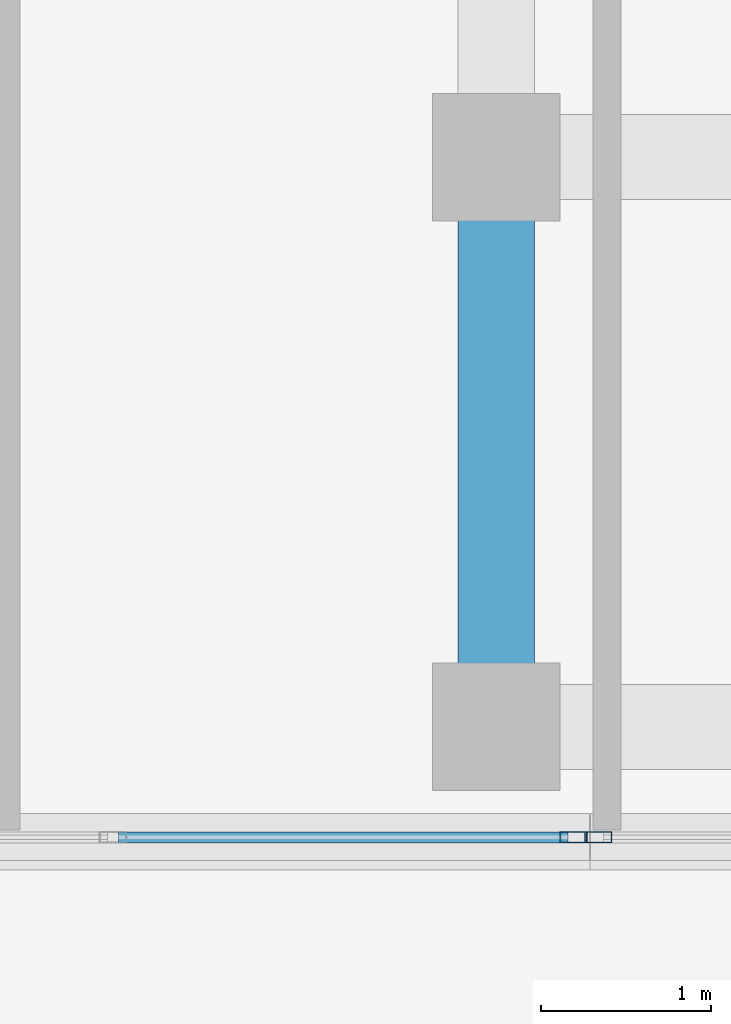
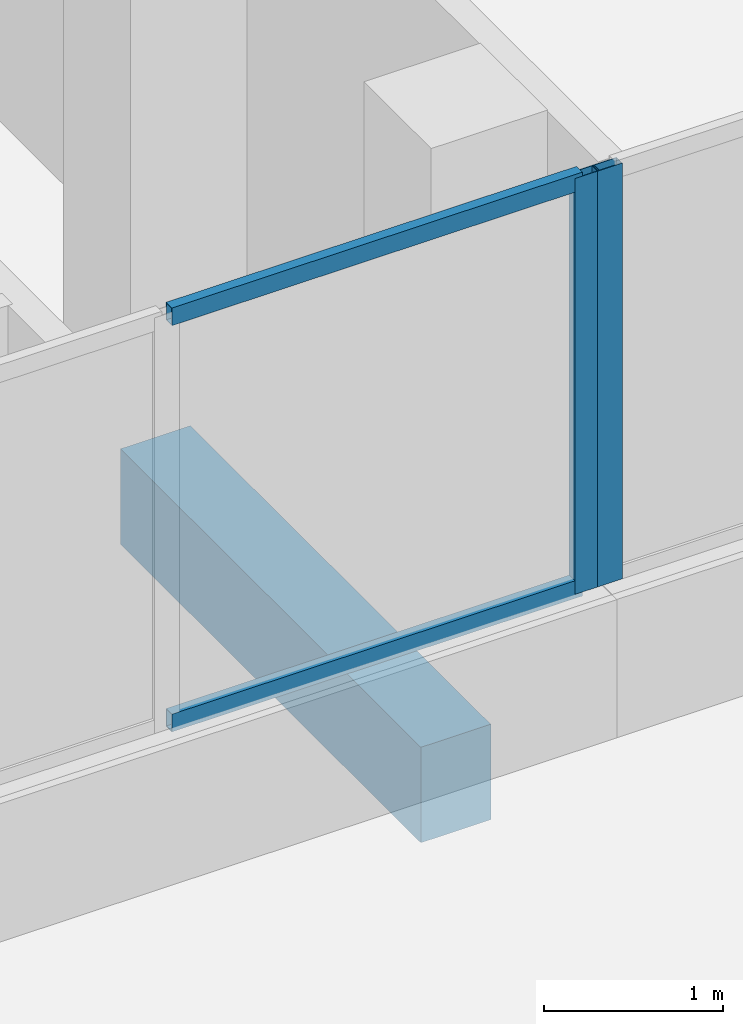
# One storey, part 56 of 101: 4 members, 1 beam, 2 elements without a shape of their own.
"""IFC4 building model written with IfcOpenShell, lengths in metres."""

from ifc_helpers import new_model, si_unit, direction, frame, origin, origin_2d, place, context, subcontext, project, spatial, rectangle, hollow_rectangle, extrude, material, material_profile, profile_set, type_object, element, aggregate, save


model = new_model("IFC4")

# Units and contexts
model_context = context("Model", 3, precision=1e-05, world=origin(), true_north=direction((0.0, 1.0)))
body_context = subcontext(model_context, "Body", "Model", "MODEL_VIEW")
ifc_project = project(units=[si_unit("LENGTHUNIT", "METRE"), si_unit("AREAUNIT", "SQUARE_METRE"), si_unit("VOLUMEUNIT", "CUBIC_METRE"), si_unit("PLANEANGLEUNIT", "RADIAN"), si_unit("MASSUNIT", "GRAM", prefix="KILO")], contexts=[model_context])

# Site, building, storey
site_placement = place(None, origin())
site = spatial("IfcSite", under=ifc_project, at=site_placement, CompositionType="ELEMENT")
building_placement = place(site_placement, origin())
building = spatial("IfcBuilding", under=site, at=building_placement, Name="Selatvlak General Hospital", CompositionType="ELEMENT")
storey_placement = place(building_placement, frame((0.0, 0.0, 19.199951171875)))
storey = spatial("IfcBuildingStorey", under=building, at=storey_placement, Name="L04", CompositionType="ELEMENT", Elevation=19.199951171875)

# Beam
ifc_material_1 = material(Name="Concrete C40/50", Category="concrete")
ifc_material_profile_1 = material_profile(ifc_material_1, rectangle(XDim=0.449951171875, YDim=0.64990234375, at=origin_2d()), Name="RC-BM 450x650")
ifc_profile_set_1 = profile_set([ifc_material_profile_1], Name="Concrete C40/50")
beam_type = type_object("IfcBeamType", Name="BM-G04", PredefinedType="BEAM", material=ifc_profile_set_1)
beam_placement = place(storey_placement, frame((156.550048828125, 64.64990234375, -0.6298828125), z_axis=(0.0, 1.0, 0.0), x_axis=(-1.0, 0.0, 0.0)))
element("IfcBeam", 1, at=beam_placement, inside=storey, type_object=beam_type, Name="Beam BMR-L04-1739", PredefinedType="BEAM", context=body_context, shape_type="SweptSolid", body=[
    extrude(rectangle(XDim=0.449951171875, YDim=0.64990234375, at=origin_2d()), origin(), (0.0, 0.0, 1.0), 3.35009765625),
])

# Curtain wall, member
ifc_material_2 = material(Name="Solar-control Low-E double glazing", Category="glass")
curtain_wall_type_1 = type_object("IfcCurtainWallType", Name="CW-CW-02", PredefinedType="USERDEFINED", material=ifc_material_2)
curtain_wall_1_placement = place(storey_placement, origin())
curtain_wall_1 = element("IfcCurtainWall", 2, at=curtain_wall_1_placement, inside=storey, type_object=curtain_wall_type_1, Name="Glazed facade curtain wall CW-L04-0508", ObjectType="UNITISED CURTAIN WALL", PredefinedType="USERDEFINED")
ifc_material_3 = material(Name="Dark anodised aluminium mullion", Category="aluminium")
ifc_material_profile_2 = material_profile(ifc_material_3, hollow_rectangle(XDim=0.06494140625, YDim=0.159912109375, WallThickness=0.00390625, at=origin_2d()), Name="AL-MUL 65x160x4")
ifc_profile_set_2 = profile_set([ifc_material_profile_2], Name="Dark anodised aluminium mullion")
member_type_1 = type_object("IfcMemberType", Name="CWM-01", PredefinedType="MULLION", material=ifc_profile_set_2)
member_1_placement = place(storey_placement, frame((157.1484375, 64.0, 0.93994140625), z_axis=(0.0, 0.0, 1.0), x_axis=(0.00012166931, -0.999999992598, 0.0)))
member_1 = element("IfcMember", 3, at=member_1_placement, type_object=member_type_1, Name="CW-02 mullion 4", PredefinedType="MULLION", context=body_context, shape_type="SweptSolid", body=[
    extrude(hollow_rectangle(XDim=0.06494140625, YDim=0.159912109375, WallThickness=0.00390625, at=origin_2d()), origin(), (0.0, 0.0, 1.0), 2.830078125),
])
aggregate(curtain_wall_1, [member_1])

# Curtain wall, members
curtain_wall_type_2 = type_object("IfcCurtainWallType", Name="CW-CW-01", PredefinedType="USERDEFINED", material=ifc_material_2)
curtain_wall_2_placement = place(storey_placement, origin())
curtain_wall_2 = element("IfcCurtainWall", 4, at=curtain_wall_2_placement, inside=storey, type_object=curtain_wall_type_2, Name="Glazed facade curtain wall CW-L04-0509", ObjectType="UNITISED CURTAIN WALL", PredefinedType="USERDEFINED")
member_2_placement = place(storey_placement, frame((157.00341796875, 64.0, 0.93994140625), z_axis=(0.0, 0.0, 1.0), x_axis=(0.0, -1.0, 0.0)))
member_2 = element("IfcMember", 5, at=member_2_placement, type_object=member_type_1, Name="CW-01 mullion 1", PredefinedType="MULLION", context=body_context, shape_type="SweptSolid", body=[
    extrude(hollow_rectangle(XDim=0.06494140625, YDim=0.159912109375, WallThickness=0.00390625, at=origin_2d()), origin(), (0.0, 0.0, 1.0), 2.830078125),
])
ifc_material_profile_3 = material_profile(ifc_material_3, hollow_rectangle(XDim=0.06494140625, YDim=0.1201171875, WallThickness=0.00390625, at=origin_2d()), Name="AL-TRN 65x120x4")
ifc_profile_set_3 = profile_set([ifc_material_profile_3], Name="Dark anodised aluminium mullion")
member_type_2 = type_object("IfcMemberType", Name="CWT-01", PredefinedType="USERDEFINED", material=ifc_profile_set_3)
member_3_placement = place(storey_placement, frame((156.970947265625, 64.0, 0.97265625), z_axis=(-1.0, 0.0, 0.0), x_axis=(0.0, -1.0, 0.0)))
member_3 = element("IfcMember", 6, at=member_3_placement, type_object=member_type_2, Name="CW-01 transom 1.1", ObjectType="TRANSOM", PredefinedType="USERDEFINED", context=body_context, shape_type="SweptSolid", body=[
    extrude(hollow_rectangle(XDim=0.06494140625, YDim=0.1201171875, WallThickness=0.00390625, at=origin_2d()), origin(), (0.0, 0.0, 1.0), 2.642333984375),
])
member_4_placement = place(storey_placement, frame((156.970947265625, 64.0, 3.737548828125), z_axis=(-1.0, 0.0, 0.0), x_axis=(0.0, -1.0, 0.0)))
member_4 = element("IfcMember", 7, at=member_4_placement, type_object=member_type_2, Name="CW-01 transom 1.2", ObjectType="TRANSOM", PredefinedType="USERDEFINED", context=body_context, shape_type="SweptSolid", body=[
    extrude(hollow_rectangle(XDim=0.06494140625, YDim=0.1201171875, WallThickness=0.00390625, at=origin_2d()), origin(), (0.0, 0.0, 1.0), 2.642333984375),
])
aggregate(curtain_wall_2, [member_2, member_3, member_4])

save(model, "model.ifc")
